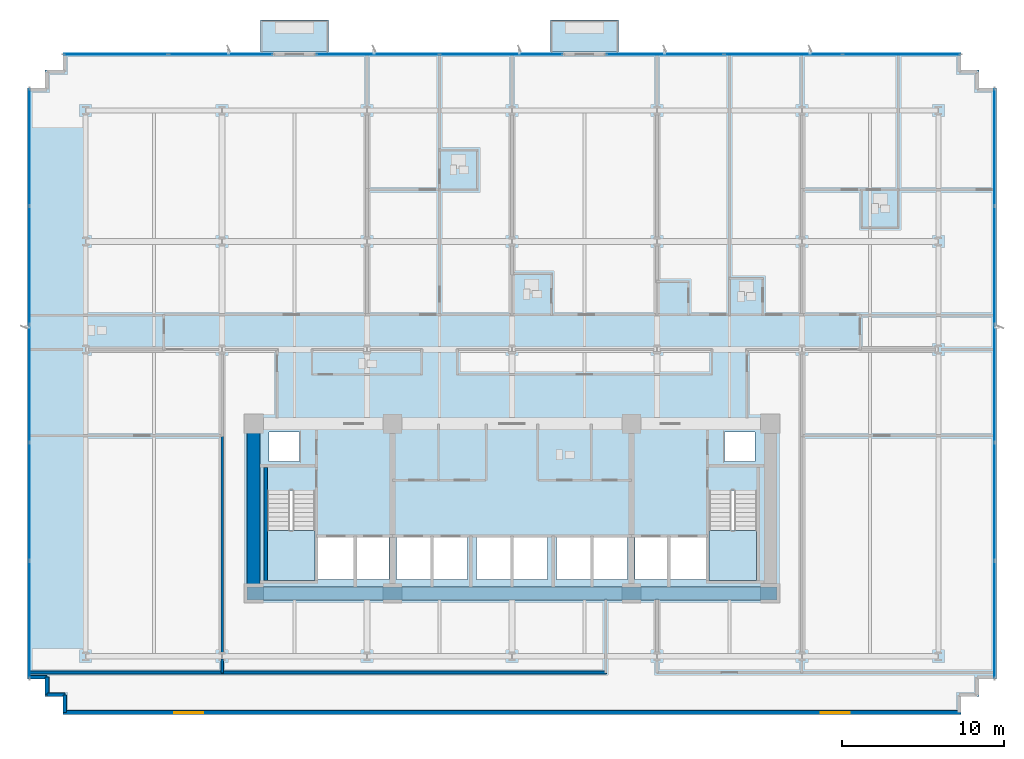
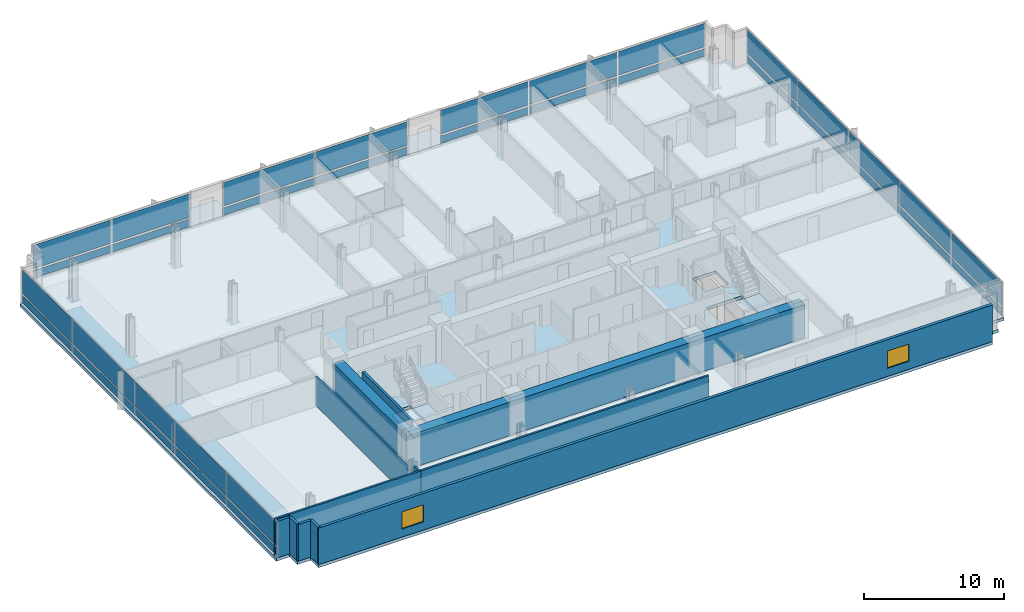
# One storey, part 7 of 17: 34 plates, 12 walls, 5 slabs, 2 windows, 2 openings, 7 elements without a shape of their own.
"""IFC4 building model written with IfcOpenShell, lengths in metres."""

from ifc_helpers import new_model, si_unit, direction, frame, frame_2d, origin, origin_2d, place, context, subcontext, project, spatial, polyline, rectangle, outline, extrude, material, layer, layer_set, type_object, element, fill, aggregate, save


model = new_model("IFC4")

# Units and contexts
model_context = context("Model", 3, precision=1e-05, world=origin(), true_north=direction((0.0, 1.0)))
body_context = subcontext(model_context, "Body", "Model", "MODEL_VIEW")
ifc_project = project(units=[si_unit("LENGTHUNIT", "METRE"), si_unit("AREAUNIT", "SQUARE_METRE"), si_unit("VOLUMEUNIT", "CUBIC_METRE"), si_unit("PLANEANGLEUNIT", "RADIAN"), si_unit("MASSUNIT", "GRAM", prefix="KILO")], contexts=[model_context])

# Site, building, storey
site_placement = place(None, origin())
site = spatial("IfcSite", under=ifc_project, at=site_placement, CompositionType="ELEMENT")
building_placement = place(site_placement, origin())
building = spatial("IfcBuilding", under=site, at=building_placement, Name="Solmavex Isthmus Hotel", CompositionType="ELEMENT")
storey_placement = place(building_placement, frame((0.0, 0.0, 40.199951171875)))
storey = spatial("IfcBuildingStorey", under=building, at=storey_placement, Name="L10", CompositionType="ELEMENT", Elevation=40.199951171875)

# Curtain wall, plates
ifc_material_1 = material(Name="Aluminium alloy 6063-T6", Category="aluminium")
curtain_wall_type = type_object("IfcCurtainWallType", Name="CW-SYS-02", PredefinedType="NOTDEFINED", material=ifc_material_1)
curtain_wall_1_placement = place(storey_placement, origin())
curtain_wall_1 = element("IfcCurtainWall", 1, at=curtain_wall_1_placement, inside=storey, type_object=curtain_wall_type, Name="Stick Curtain Wall CWL-L10-N1", PredefinedType="NOTDEFINED")
ifc_material_2 = material(Name="Clear low-E laminated glass", Category="glass")
ifc_layer_1 = layer(ifc_material_2, 0.031982421875)
ifc_layer_set_1 = layer_set([ifc_layer_1], Name="Clear low-E laminated glass")
plate_type = type_object("IfcPlateType", Name="CW-SYS-02-PNL", PredefinedType="CURTAIN_PANEL", material=ifc_layer_set_1)
plate_1_placement = place(storey_placement, frame((-24.522216796875, 20.3798828125, 0.16015625), z_axis=(0.0, 0.0, 1.0), x_axis=(1.0, 0.0, 0.0)))
plate_1 = element("IfcPlate", 2, at=plate_1_placement, type_object=plate_type, Name="CW-02 panel 1.1", PredefinedType="CURTAIN_PANEL", context=body_context, shape_type="SweptSolid", body=[
    extrude(rectangle(XDim=6.405517578125, YDim=0.031982421875, at=origin_2d()), origin(), (0.0, 0.0, 1.0), 0.659912109375),
])
plate_2_placement = place(storey_placement, frame((-24.522216796875, 20.3798828125, 0.97998046875), z_axis=(0.0, 0.0, 1.0), x_axis=(1.0, 0.0, 0.0)))
plate_2 = element("IfcPlate", 3, at=plate_2_placement, type_object=plate_type, Name="CW-02 panel 1.2", PredefinedType="CURTAIN_PANEL", context=body_context, shape_type="SweptSolid", body=[
    extrude(rectangle(XDim=6.405517578125, YDim=0.031982421875, at=origin_2d()), origin(), (0.0, 0.0, 1.0), 2.050048828125),
])
plate_3_placement = place(storey_placement, frame((-18.041748046875, 20.3798828125, 0.16015625), z_axis=(0.0, 0.0, 1.0), x_axis=(1.0, 0.0, 0.0)))
plate_3 = element("IfcPlate", 4, at=plate_3_placement, type_object=plate_type, Name="CW-02 panel 2.1", PredefinedType="CURTAIN_PANEL", context=body_context, shape_type="SweptSolid", body=[
    extrude(rectangle(XDim=6.405517578125, YDim=0.031982421875, at=origin_2d()), origin(), (0.0, 0.0, 1.0), 0.659912109375),
])
plate_4_placement = place(storey_placement, frame((-18.041748046875, 20.3798828125, 0.97998046875), z_axis=(0.0, 0.0, 1.0), x_axis=(1.0, 0.0, 0.0)))
plate_4 = element("IfcPlate", 5, at=plate_4_placement, type_object=plate_type, Name="CW-02 panel 2.2", PredefinedType="CURTAIN_PANEL", context=body_context, shape_type="SweptSolid", body=[
    extrude(rectangle(XDim=6.405517578125, YDim=0.031982421875, at=origin_2d()), origin(), (0.0, 0.0, 1.0), 2.050048828125),
])
aggregate(curtain_wall_1, [plate_1, plate_2, plate_3, plate_4])

curtain_wall_2_placement = place(storey_placement, origin())
curtain_wall_2 = element("IfcCurtainWall", 6, at=curtain_wall_2_placement, inside=storey, type_object=curtain_wall_type, Name="Stick Curtain Wall CWL-L10-N2", PredefinedType="NOTDEFINED")
plate_5_placement = place(storey_placement, frame((-8.30712890625, 20.3798828125, 0.16015625), z_axis=(0.0, 0.0, 1.0), x_axis=(1.0, 0.0, 0.0)))
plate_5 = element("IfcPlate", 7, at=plate_5_placement, type_object=plate_type, Name="CW-02 panel 1.1", PredefinedType="CURTAIN_PANEL", context=body_context, shape_type="SweptSolid", body=[
    extrude(rectangle(XDim=7.5634765625, YDim=0.031982421875, at=origin_2d()), origin(), (0.0, 0.0, 1.0), 0.659912109375),
])
plate_6_placement = place(storey_placement, frame((-8.30712890625, 20.3798828125, 0.97998046875), z_axis=(0.0, 0.0, 1.0), x_axis=(1.0, 0.0, 0.0)))
plate_6 = element("IfcPlate", 8, at=plate_6_placement, type_object=plate_type, Name="CW-02 panel 1.2", PredefinedType="CURTAIN_PANEL", context=body_context, shape_type="SweptSolid", body=[
    extrude(rectangle(XDim=7.5634765625, YDim=0.031982421875, at=origin_2d()), origin(), (0.0, 0.0, 1.0), 2.050048828125),
])
plate_7_placement = place(storey_placement, frame((-0.668701171875, 20.3798828125, 0.16015625), z_axis=(0.0, 0.0, 1.0), x_axis=(1.0, 0.0, 0.0)))
plate_7 = element("IfcPlate", 9, at=plate_7_placement, type_object=plate_type, Name="CW-02 panel 2.1", PredefinedType="CURTAIN_PANEL", context=body_context, shape_type="SweptSolid", body=[
    extrude(rectangle(XDim=7.5634765625, YDim=0.031982421875, at=origin_2d()), origin(), (0.0, 0.0, 1.0), 0.659912109375),
])
plate_8_placement = place(storey_placement, frame((-0.668701171875, 20.3798828125, 0.97998046875), z_axis=(0.0, 0.0, 1.0), x_axis=(1.0, 0.0, 0.0)))
plate_8 = element("IfcPlate", 10, at=plate_8_placement, type_object=plate_type, Name="CW-02 panel 2.2", PredefinedType="CURTAIN_PANEL", context=body_context, shape_type="SweptSolid", body=[
    extrude(rectangle(XDim=7.5634765625, YDim=0.031982421875, at=origin_2d()), origin(), (0.0, 0.0, 1.0), 2.050048828125),
])
aggregate(curtain_wall_2, [plate_5, plate_6, plate_7, plate_8])

curtain_wall_3_placement = place(storey_placement, origin())
curtain_wall_3 = element("IfcCurtainWall", 11, at=curtain_wall_3_placement, inside=storey, type_object=curtain_wall_type, Name="Stick Curtain Wall CWL-L10-N3", PredefinedType="NOTDEFINED")
plate_9_placement = place(storey_placement, frame((9.475341796875, 20.3798828125, 0.16015625), z_axis=(0.0, 0.0, 1.0), x_axis=(1.0, 0.0, 0.0)))
plate_9 = element("IfcPlate", 12, at=plate_9_placement, type_object=plate_type, Name="CW-02 panel 1.1", PredefinedType="CURTAIN_PANEL", context=body_context, shape_type="SweptSolid", body=[
    extrude(rectangle(XDim=7.224853515625, YDim=0.031982421875, at=origin_2d()), origin(), (0.0, 0.0, 1.0), 0.659912109375),
])
plate_10_placement = place(storey_placement, frame((9.475341796875, 20.3798828125, 0.97998046875), z_axis=(0.0, 0.0, 1.0), x_axis=(1.0, 0.0, 0.0)))
plate_10 = element("IfcPlate", 13, at=plate_10_placement, type_object=plate_type, Name="CW-02 panel 1.2", PredefinedType="CURTAIN_PANEL", context=body_context, shape_type="SweptSolid", body=[
    extrude(rectangle(XDim=7.224853515625, YDim=0.031982421875, at=origin_2d()), origin(), (0.0, 0.0, 1.0), 2.050048828125),
])
plate_11_placement = place(storey_placement, frame((16.7939453125, 20.3798828125, 0.16015625), z_axis=(0.0, 0.0, 1.0), x_axis=(1.0, 0.0, 0.0)))
plate_11 = element("IfcPlate", 14, at=plate_11_placement, type_object=plate_type, Name="CW-02 panel 2.1", PredefinedType="CURTAIN_PANEL", context=body_context, shape_type="SweptSolid", body=[
    extrude(rectangle(XDim=7.262451171875, YDim=0.031982421875, at=origin_2d()), origin(), (0.0, 0.0, 1.0), 0.659912109375),
])
plate_12_placement = place(storey_placement, frame((16.7939453125, 20.3798828125, 0.97998046875), z_axis=(0.0, 0.0, 1.0), x_axis=(1.0, 0.0, 0.0)))
plate_12 = element("IfcPlate", 15, at=plate_12_placement, type_object=plate_type, Name="CW-02 panel 2.2", PredefinedType="CURTAIN_PANEL", context=body_context, shape_type="SweptSolid", body=[
    extrude(rectangle(XDim=7.262451171875, YDim=0.031982421875, at=origin_2d()), origin(), (0.0, 0.0, 1.0), 2.050048828125),
])
plate_13_placement = place(storey_placement, frame((24.112548828125, 20.3798828125, 0.16015625), z_axis=(0.0, 0.0, 1.0), x_axis=(1.0, 0.0, 0.0)))
plate_13 = element("IfcPlate", 16, at=plate_13_placement, type_object=plate_type, Name="CW-02 panel 3.1", PredefinedType="CURTAIN_PANEL", context=body_context, shape_type="SweptSolid", body=[
    extrude(rectangle(XDim=7.224853515625, YDim=0.031982421875, at=origin_2d()), origin(), (0.0, 0.0, 1.0), 0.659912109375),
])
plate_14_placement = place(storey_placement, frame((24.112548828125, 20.3798828125, 0.97998046875), z_axis=(0.0, 0.0, 1.0), x_axis=(1.0, 0.0, 0.0)))
plate_14 = element("IfcPlate", 17, at=plate_14_placement, type_object=plate_type, Name="CW-02 panel 3.2", PredefinedType="CURTAIN_PANEL", context=body_context, shape_type="SweptSolid", body=[
    extrude(rectangle(XDim=7.224853515625, YDim=0.031982421875, at=origin_2d()), origin(), (0.0, 0.0, 1.0), 2.050048828125),
])
aggregate(curtain_wall_3, [plate_9, plate_10, plate_11, plate_12, plate_13, plate_14])

curtain_wall_4_placement = place(storey_placement, origin())
curtain_wall_4 = element("IfcCurtainWall", 18, at=curtain_wall_4_placement, inside=storey, type_object=curtain_wall_type, Name="Stick Curtain Wall CWL-L10-W1", PredefinedType="NOTDEFINED")
plate_15_placement = place(storey_placement, frame((-29.8798828125, -14.621337890625, 0.16015625), z_axis=(0.0, 0.0, 1.0), x_axis=(0.0, 1.0, 0.0)))
plate_15 = element("IfcPlate", 19, at=plate_15_placement, type_object=plate_type, Name="CW-02 panel 1.1", PredefinedType="CURTAIN_PANEL", context=body_context, shape_type="SweptSolid", body=[
    extrude(rectangle(XDim=7.20751953125, YDim=0.031982421875, at=origin_2d()), origin(), (0.0, 0.0, 1.0), 0.659912109375),
])
plate_16_placement = place(storey_placement, frame((-29.8798828125, -14.621337890625, 0.97998046875), z_axis=(0.0, 0.0, 1.0), x_axis=(0.0, 1.0, 0.0)))
plate_16 = element("IfcPlate", 20, at=plate_16_placement, type_object=plate_type, Name="CW-02 panel 1.2", PredefinedType="CURTAIN_PANEL", context=body_context, shape_type="SweptSolid", body=[
    extrude(rectangle(XDim=7.20751953125, YDim=0.031982421875, at=origin_2d()), origin(), (0.0, 0.0, 1.0), 2.050048828125),
])
plate_17_placement = place(storey_placement, frame((-29.8798828125, -7.320068359375, 0.16015625), z_axis=(0.0, 0.0, 1.0), x_axis=(0.0, 1.0, 0.0)))
plate_17 = element("IfcPlate", 21, at=plate_17_placement, type_object=plate_type, Name="CW-02 panel 2.1", PredefinedType="CURTAIN_PANEL", context=body_context, shape_type="SweptSolid", body=[
    extrude(rectangle(XDim=7.2451171875, YDim=0.031982421875, at=origin_2d()), origin(), (0.0, 0.0, 1.0), 0.659912109375),
])
plate_18_placement = place(storey_placement, frame((-29.8798828125, -7.320068359375, 0.97998046875), z_axis=(0.0, 0.0, 1.0), x_axis=(0.0, 1.0, 0.0)))
plate_18 = element("IfcPlate", 22, at=plate_18_placement, type_object=plate_type, Name="CW-02 panel 2.2", PredefinedType="CURTAIN_PANEL", context=body_context, shape_type="SweptSolid", body=[
    extrude(rectangle(XDim=7.2451171875, YDim=0.031982421875, at=origin_2d()), origin(), (0.0, 0.0, 1.0), 2.050048828125),
])
plate_19_placement = place(storey_placement, frame((-29.8798828125, 0.0, 0.16015625), z_axis=(0.0, 0.0, 1.0), x_axis=(0.0, 1.0, 0.0)))
plate_19 = element("IfcPlate", 23, at=plate_19_placement, type_object=plate_type, Name="CW-02 panel 3.1", PredefinedType="CURTAIN_PANEL", context=body_context, shape_type="SweptSolid", body=[
    extrude(rectangle(XDim=7.2451171875, YDim=0.031982421875, at=origin_2d()), origin(), (0.0, 0.0, 1.0), 0.659912109375),
])
plate_20_placement = place(storey_placement, frame((-29.8798828125, 0.0, 0.97998046875), z_axis=(0.0, 0.0, 1.0), x_axis=(0.0, 1.0, 0.0)))
plate_20 = element("IfcPlate", 24, at=plate_20_placement, type_object=plate_type, Name="CW-02 panel 3.2", PredefinedType="CURTAIN_PANEL", context=body_context, shape_type="SweptSolid", body=[
    extrude(rectangle(XDim=7.2451171875, YDim=0.031982421875, at=origin_2d()), origin(), (0.0, 0.0, 1.0), 2.050048828125),
])
plate_21_placement = place(storey_placement, frame((-29.8798828125, 7.320068359375, 0.16015625), z_axis=(0.0, 0.0, 1.0), x_axis=(0.0, 1.0, 0.0)))
plate_21 = element("IfcPlate", 25, at=plate_21_placement, type_object=plate_type, Name="CW-02 panel 4.1", PredefinedType="CURTAIN_PANEL", context=body_context, shape_type="SweptSolid", body=[
    extrude(rectangle(XDim=7.2451171875, YDim=0.031982421875, at=origin_2d()), origin(), (0.0, 0.0, 1.0), 0.659912109375),
])
plate_22_placement = place(storey_placement, frame((-29.8798828125, 7.320068359375, 0.97998046875), z_axis=(0.0, 0.0, 1.0), x_axis=(0.0, 1.0, 0.0)))
plate_22 = element("IfcPlate", 26, at=plate_22_placement, type_object=plate_type, Name="CW-02 panel 4.2", PredefinedType="CURTAIN_PANEL", context=body_context, shape_type="SweptSolid", body=[
    extrude(rectangle(XDim=7.2451171875, YDim=0.031982421875, at=origin_2d()), origin(), (0.0, 0.0, 1.0), 2.050048828125),
])
plate_23_placement = place(storey_placement, frame((-29.8798828125, 14.621337890625, 0.16015625), z_axis=(0.0, 0.0, 1.0), x_axis=(0.0, 1.0, 0.0)))
plate_23 = element("IfcPlate", 27, at=plate_23_placement, type_object=plate_type, Name="CW-02 panel 5.1", PredefinedType="CURTAIN_PANEL", context=body_context, shape_type="SweptSolid", body=[
    extrude(rectangle(XDim=7.20751953125, YDim=0.031982421875, at=origin_2d()), origin(), (0.0, 0.0, 1.0), 0.659912109375),
])
plate_24_placement = place(storey_placement, frame((-29.8798828125, 14.621337890625, 0.97998046875), z_axis=(0.0, 0.0, 1.0), x_axis=(0.0, 1.0, 0.0)))
plate_24 = element("IfcPlate", 28, at=plate_24_placement, type_object=plate_type, Name="CW-02 panel 5.2", PredefinedType="CURTAIN_PANEL", context=body_context, shape_type="SweptSolid", body=[
    extrude(rectangle(XDim=7.20751953125, YDim=0.031982421875, at=origin_2d()), origin(), (0.0, 0.0, 1.0), 2.050048828125),
])
aggregate(curtain_wall_4, [plate_15, plate_16, plate_17, plate_18, plate_19, plate_20, plate_21, plate_22, plate_23, plate_24])

curtain_wall_5_placement = place(storey_placement, origin())
curtain_wall_5 = element("IfcCurtainWall", 29, at=curtain_wall_5_placement, inside=storey, type_object=curtain_wall_type, Name="Stick Curtain Wall CWL-L10-E1", PredefinedType="NOTDEFINED")
plate_25_placement = place(storey_placement, frame((29.8798828125, -14.621337890625, 0.16015625), z_axis=(0.0, 0.0, 1.0), x_axis=(0.0, 1.0, 0.0)))
plate_25 = element("IfcPlate", 30, at=plate_25_placement, type_object=plate_type, Name="CW-02 panel 1.1", PredefinedType="CURTAIN_PANEL", context=body_context, shape_type="SweptSolid", body=[
    extrude(rectangle(XDim=7.20751953125, YDim=0.031982421875, at=origin_2d()), origin(), (0.0, 0.0, 1.0), 0.659912109375),
])
plate_26_placement = place(storey_placement, frame((29.8798828125, -14.621337890625, 0.97998046875), z_axis=(0.0, 0.0, 1.0), x_axis=(0.0, 1.0, 0.0)))
plate_26 = element("IfcPlate", 31, at=plate_26_placement, type_object=plate_type, Name="CW-02 panel 1.2", PredefinedType="CURTAIN_PANEL", context=body_context, shape_type="SweptSolid", body=[
    extrude(rectangle(XDim=7.20751953125, YDim=0.031982421875, at=origin_2d()), origin(), (0.0, 0.0, 1.0), 2.050048828125),
])
plate_27_placement = place(storey_placement, frame((29.8798828125, -7.320068359375, 0.16015625), z_axis=(0.0, 0.0, 1.0), x_axis=(0.0, 1.0, 0.0)))
plate_27 = element("IfcPlate", 32, at=plate_27_placement, type_object=plate_type, Name="CW-02 panel 2.1", PredefinedType="CURTAIN_PANEL", context=body_context, shape_type="SweptSolid", body=[
    extrude(rectangle(XDim=7.2451171875, YDim=0.031982421875, at=origin_2d()), origin(), (0.0, 0.0, 1.0), 0.659912109375),
])
plate_28_placement = place(storey_placement, frame((29.8798828125, -7.320068359375, 0.97998046875), z_axis=(0.0, 0.0, 1.0), x_axis=(0.0, 1.0, 0.0)))
plate_28 = element("IfcPlate", 33, at=plate_28_placement, type_object=plate_type, Name="CW-02 panel 2.2", PredefinedType="CURTAIN_PANEL", context=body_context, shape_type="SweptSolid", body=[
    extrude(rectangle(XDim=7.2451171875, YDim=0.031982421875, at=origin_2d()), origin(), (0.0, 0.0, 1.0), 2.050048828125),
])
plate_29_placement = place(storey_placement, frame((29.8798828125, 0.0, 0.16015625), z_axis=(0.0, 0.0, 1.0), x_axis=(0.0, 1.0, 0.0)))
plate_29 = element("IfcPlate", 34, at=plate_29_placement, type_object=plate_type, Name="CW-02 panel 3.1", PredefinedType="CURTAIN_PANEL", context=body_context, shape_type="SweptSolid", body=[
    extrude(rectangle(XDim=7.2451171875, YDim=0.031982421875, at=origin_2d()), origin(), (0.0, 0.0, 1.0), 0.659912109375),
])
plate_30_placement = place(storey_placement, frame((29.8798828125, 0.0, 0.97998046875), z_axis=(0.0, 0.0, 1.0), x_axis=(0.0, 1.0, 0.0)))
plate_30 = element("IfcPlate", 35, at=plate_30_placement, type_object=plate_type, Name="CW-02 panel 3.2", PredefinedType="CURTAIN_PANEL", context=body_context, shape_type="SweptSolid", body=[
    extrude(rectangle(XDim=7.2451171875, YDim=0.031982421875, at=origin_2d()), origin(), (0.0, 0.0, 1.0), 2.050048828125),
])
plate_31_placement = place(storey_placement, frame((29.8798828125, 7.320068359375, 0.16015625), z_axis=(0.0, 0.0, 1.0), x_axis=(0.0, 1.0, 0.0)))
plate_31 = element("IfcPlate", 36, at=plate_31_placement, type_object=plate_type, Name="CW-02 panel 4.1", PredefinedType="CURTAIN_PANEL", context=body_context, shape_type="SweptSolid", body=[
    extrude(rectangle(XDim=7.2451171875, YDim=0.031982421875, at=origin_2d()), origin(), (0.0, 0.0, 1.0), 0.659912109375),
])
plate_32_placement = place(storey_placement, frame((29.8798828125, 7.320068359375, 0.97998046875), z_axis=(0.0, 0.0, 1.0), x_axis=(0.0, 1.0, 0.0)))
plate_32 = element("IfcPlate", 37, at=plate_32_placement, type_object=plate_type, Name="CW-02 panel 4.2", PredefinedType="CURTAIN_PANEL", context=body_context, shape_type="SweptSolid", body=[
    extrude(rectangle(XDim=7.2451171875, YDim=0.031982421875, at=origin_2d()), origin(), (0.0, 0.0, 1.0), 2.050048828125),
])
plate_33_placement = place(storey_placement, frame((29.8798828125, 14.621337890625, 0.16015625), z_axis=(0.0, 0.0, 1.0), x_axis=(0.0, 1.0, 0.0)))
plate_33 = element("IfcPlate", 38, at=plate_33_placement, type_object=plate_type, Name="CW-02 panel 5.1", PredefinedType="CURTAIN_PANEL", context=body_context, shape_type="SweptSolid", body=[
    extrude(rectangle(XDim=7.20751953125, YDim=0.031982421875, at=origin_2d()), origin(), (0.0, 0.0, 1.0), 0.659912109375),
])
plate_34_placement = place(storey_placement, frame((29.8798828125, 14.621337890625, 0.97998046875), z_axis=(0.0, 0.0, 1.0), x_axis=(0.0, 1.0, 0.0)))
plate_34 = element("IfcPlate", 39, at=plate_34_placement, type_object=plate_type, Name="CW-02 panel 5.2", PredefinedType="CURTAIN_PANEL", context=body_context, shape_type="SweptSolid", body=[
    extrude(rectangle(XDim=7.20751953125, YDim=0.031982421875, at=origin_2d()), origin(), (0.0, 0.0, 1.0), 2.050048828125),
])
aggregate(curtain_wall_5, [plate_25, plate_26, plate_27, plate_28, plate_29, plate_30, plate_31, plate_32, plate_33, plate_34])

# Slabs
ifc_material_3 = material(Name="Concrete C40/50", Category="concrete")
ifc_layer_2 = layer(ifc_material_3, 0.239990234375)
ifc_layer_set_2 = layer_set([ifc_layer_2], Name="Concrete C40/50")
slab_type_1 = type_object("IfcSlabType", Name="SLAB-BALC-240", PredefinedType="FLOOR", material=ifc_layer_set_2)
slab_1_placement = place(storey_placement, frame((0.0, 0.0, -0.239990234375)))
element("IfcSlab", 40, at=slab_1_placement, inside=storey, type_object=slab_type_1, Name="Tree-Planter Balcony Slab L10-B1", PredefinedType="FLOOR", context=body_context, shape_type="SweptSolid", body=[
    extrude(outline(polyline([(-15.56396484375, 20.514892578125), (-11.364013671875, 20.514892578125), (-11.364013671875, 22.5), (-15.56396484375, 22.5), (-15.56396484375, 20.514892578125)])), origin(), (0.0, 0.0, 1.0), 0.239990234375),
])
slab_2_placement = place(storey_placement, frame((0.0, 0.0, -0.239990234375)))
element("IfcSlab", 41, at=slab_2_placement, inside=storey, type_object=slab_type_1, Name="Tree-Planter Balcony Slab L10-B2", PredefinedType="FLOOR", context=body_context, shape_type="SweptSolid", body=[
    extrude(outline(polyline([(2.387939453125, 20.514892578125), (6.587890625, 20.514892578125), (6.587890625, 22.5), (2.387939453125, 22.5), (2.387939453125, 20.514892578125)])), origin(), (0.0, 0.0, 1.0), 0.239990234375),
])
ifc_layer_3 = layer(ifc_material_3, 0.260009765625)
ifc_layer_set_3 = layer_set([ifc_layer_3], Name="Concrete C40/50")
slab_type_2 = type_object("IfcSlabType", Name="SLAB-TYP-260", PredefinedType="FLOOR", material=ifc_layer_set_3)
slab_3_placement = place(storey_placement, frame((0.0, 0.0, -0.260009765625)))
element("IfcSlab", 42, at=slab_3_placement, inside=storey, type_object=slab_type_2, Name="Tower Structural Floor Slab L10", PredefinedType="FLOOR", context=body_context, shape_type="SweptSolid", body=[
    extrude(outline(polyline([(-26.699951171875, -20.5), (26.699951171875, -20.5), (27.800048828125, -20.5), (27.800048828125, -19.39990234375), (28.89990234375, -19.39990234375), (28.89990234375, -18.300048828125), (30.0, -18.300048828125), (30.0, -17.199951171875), (30.0, 17.199951171875), (30.0, 18.300048828125), (28.89990234375, 18.300048828125), (28.89990234375, 19.39990234375), (27.800048828125, 19.39990234375), (27.800048828125, 20.5), (26.699951171875, 20.5), (-26.699951171875, 20.5), (-27.800048828125, 20.5), (-27.800048828125, 19.39990234375), (-28.89990234375, 19.39990234375), (-28.89990234375, 18.300048828125), (-30.0, 18.300048828125), (-30.0, 17.199951171875), (-30.0, -17.199951171875), (-30.0, -18.300048828125), (-28.89990234375, -18.300048828125), (-28.89990234375, -19.39990234375), (-27.800048828125, -19.39990234375), (-27.800048828125, -20.5), (-26.699951171875, -20.5)]), holes=[polyline([(-15.14990234375, -6.617919921875), (-15.14990234375, -12.199951171875), (-12.199951171875, -12.199951171875), (-12.199951171875, -6.617919921875), (-15.14990234375, -6.617919921875)]), polyline([(12.199951171875, -6.617919921875), (12.199951171875, -12.199951171875), (15.14990234375, -12.199951171875), (15.14990234375, -6.617919921875), (12.199951171875, -6.617919921875)]), polyline([(-12.0, -12.14990234375), (-9.800048828125, -12.14990234375), (-9.800048828125, -9.550048828125), (-12.0, -9.550048828125), (-12.0, -12.14990234375)]), polyline([(9.800048828125, -12.14990234375), (12.0, -12.14990234375), (12.0, -9.550048828125), (9.800048828125, -9.550048828125), (9.800048828125, -12.14990234375)]), polyline([(-9.60009765625, -12.14990234375), (-7.60009765625, -12.14990234375), (-7.60009765625, -9.550048828125), (-9.60009765625, -9.550048828125), (-9.60009765625, -12.14990234375)]), polyline([(7.60009765625, -12.14990234375), (9.60009765625, -12.14990234375), (9.60009765625, -9.550048828125), (7.60009765625, -9.550048828125), (7.60009765625, -12.14990234375)]), polyline([(-7.14990234375, -12.14990234375), (-5.050048828125, -12.14990234375), (-5.050048828125, -9.550048828125), (-7.14990234375, -9.550048828125), (-7.14990234375, -12.14990234375)]), polyline([(-4.85009765625, -12.14990234375), (-2.75, -12.14990234375), (-2.75, -9.550048828125), (-4.85009765625, -9.550048828125), (-4.85009765625, -12.14990234375)]), polyline([(-2.199951171875, -12.14990234375), (-0.10009765625, -12.14990234375), (-0.10009765625, -9.550048828125), (-2.199951171875, -9.550048828125), (-2.199951171875, -12.14990234375)]), polyline([(0.10009765625, -12.14990234375), (2.199951171875, -12.14990234375), (2.199951171875, -9.550048828125), (0.10009765625, -9.550048828125), (0.10009765625, -12.14990234375)]), polyline([(2.75, -12.14990234375), (4.85009765625, -12.14990234375), (4.85009765625, -9.550048828125), (2.75, -9.550048828125), (2.75, -12.14990234375)]), polyline([(5.050048828125, -12.14990234375), (7.14990234375, -12.14990234375), (7.14990234375, -9.550048828125), (5.050048828125, -9.550048828125), (5.050048828125, -12.14990234375)]), polyline([(-15.050048828125, -4.85009765625), (-13.14990234375, -4.85009765625), (-13.14990234375, -3.0), (-15.050048828125, -3.0), (-15.050048828125, -4.85009765625)]), polyline([(13.14990234375, -4.85009765625), (15.050048828125, -4.85009765625), (15.050048828125, -3.0), (13.14990234375, -3.0), (13.14990234375, -4.85009765625)])]), origin(), (0.0, 0.0, 1.0), 0.260009765625),
])

# Stair, slab
stair_type_1 = type_object("IfcStairType", Name="STR-ST-1", PredefinedType="HALF_TURN_STAIR", material=ifc_material_3)
stair_1_placement = place(storey_placement, origin())
stair_1 = element("IfcStair", 43, at=stair_1_placement, inside=storey, type_object=stair_type_1, Name="L10 Protected Exit Stair ST-1", PredefinedType="HALF_TURN_STAIR")
ifc_layer_4 = layer(ifc_material_3, 0.219970703125)
ifc_layer_set_4 = layer_set([ifc_layer_4], Name="Concrete C40/50")
slab_type_3 = type_object("IfcSlabType", Name="SLD-ST-1", PredefinedType="LANDING", material=ifc_layer_set_4)
slab_4_placement = place(storey_placement, frame((0.0, 0.0, 1.525146484375)))
slab_4 = element("IfcSlab", 44, at=slab_4_placement, type_object=slab_type_3, Name="ST-1 landing 1", PredefinedType="LANDING", context=body_context, shape_type="SweptSolid", body=[
    extrude(outline(polyline([(-15.14990234375, -9.1201171875), (-15.14990234375, -12.199951171875), (-12.199951171875, -12.199951171875), (-12.199951171875, -9.1201171875), (-15.14990234375, -9.1201171875)])), origin(), (0.0, 0.0, 1.0), 0.199951171875),
])
aggregate(stair_1, [slab_4])

stair_type_2 = type_object("IfcStairType", Name="STR-ST-2", PredefinedType="HALF_TURN_STAIR", material=ifc_material_3)
stair_2_placement = place(storey_placement, origin())
stair_2 = element("IfcStair", 45, at=stair_2_placement, inside=storey, type_object=stair_type_2, Name="L10 Protected Exit Stair ST-2", PredefinedType="HALF_TURN_STAIR")
ifc_layer_5 = layer(ifc_material_3, 0.219970703125)
ifc_layer_set_5 = layer_set([ifc_layer_5], Name="Concrete C40/50")
slab_type_4 = type_object("IfcSlabType", Name="SLD-ST-2", PredefinedType="LANDING", material=ifc_layer_set_5)
slab_5_placement = place(storey_placement, frame((0.0, 0.0, 1.525146484375)))
slab_5 = element("IfcSlab", 46, at=slab_5_placement, type_object=slab_type_4, Name="ST-2 landing 1", PredefinedType="LANDING", context=body_context, shape_type="SweptSolid", body=[
    extrude(outline(polyline([(12.199951171875, -9.1201171875), (12.199951171875, -12.199951171875), (15.14990234375, -12.199951171875), (15.14990234375, -9.1201171875), (12.199951171875, -9.1201171875)])), origin(), (0.0, 0.0, 1.0), 0.199951171875),
])
aggregate(stair_2, [slab_5])

# Wall, openings, windows
ifc_material_4 = material(Name="Precast Concrete C40/50", Category="concrete")
ifc_layer_6 = layer(ifc_material_4, 0.25)
ifc_layer_set_6 = layer_set([ifc_layer_6], Name="Precast Concrete C40/50")
wall_type_1 = type_object("IfcWallType", Name="EW-TWR-250", PredefinedType="STANDARD", material=ifc_layer_set_6)
wall_1_placement = place(storey_placement, frame((-27.800048828125, -20.3798828125, 0.0), z_axis=(0.0, 0.0, 1.0), x_axis=(1.0, 0.0, 0.0)))
wall_1 = element("IfcWall", 47, at=wall_1_placement, inside=storey, type_object=wall_type_1, Name="Tower Rear South Facade Wall L10", PredefinedType="STANDARD", context=body_context, shape_type="SweptSolid", body=[
    extrude(rectangle(XDim=55.60009765625, YDim=0.239990234375, at=frame_2d((27.800048828125, 0.0))), origin(), (0.0, 0.0, 1.0), 3.18994140625),
])
opening_1_placement = place(wall_1_placement, frame((6.884033203125, 0.0, 0.699951171875)))
opening_1 = element("IfcOpeningElement", 48, at=opening_1_placement, cuts=wall_1, Name="Opening WN-02", PredefinedType="OPENING", context=body_context, shape_type="SweptSolid", body=[
    extrude(rectangle(XDim=1.800048828125, YDim=1.5, at=frame_2d((0.89990234375, 0.75))), frame((0.0, 0.1298828125, 0.0), z_axis=(0.0, -1.0, 0.0), x_axis=(1.0, 0.0, 0.0)), (0.0, 0.0, 1.0), 0.260009765625),
])
opening_2_placement = place(wall_1_placement, frame((46.916015625, 0.0, 0.699951171875)))
opening_2 = element("IfcOpeningElement", 49, at=opening_2_placement, cuts=wall_1, Name="Opening WN-02", PredefinedType="OPENING", context=body_context, shape_type="SweptSolid", body=[
    extrude(rectangle(XDim=1.800048828125, YDim=1.5, at=frame_2d((0.89990234375, 0.75))), frame((0.0, 0.1298828125, 0.0), z_axis=(0.0, -1.0, 0.0), x_axis=(1.0, 0.0, 0.0)), (0.0, 0.0, 1.0), 0.260009765625),
])
window_type = type_object("IfcWindowType", Name="WIN-TWR-1800", PartitioningType="SINGLE_PANEL", PredefinedType="WINDOW", material=ifc_material_2)
window_1_placement = place(opening_1_placement, origin())
window_1 = element("IfcWindow", 50, at=window_1_placement, inside=storey, type_object=window_type, Name="South Facade Vision Window L10-S1", OverallHeight=1.5, OverallWidth=1.800048828125, PartitioningType="SINGLE_PANEL", PredefinedType="WINDOW", context=body_context, shape_type="SweptSolid", body=[
    extrude(rectangle(XDim=1.800048828125, YDim=1.5, at=frame_2d((0.89990234375, 0.75))), frame((0.0, 0.030029296875, 0.0), z_axis=(0.0, -1.0, 0.0), x_axis=(1.0, 0.0, 0.0)), (0.0, 0.0, 1.0), 0.06005859375),
])
fill(opening_1, window_1)
window_2_placement = place(opening_2_placement, origin())
window_2 = element("IfcWindow", 51, at=window_2_placement, inside=storey, type_object=window_type, Name="South Facade Vision Window L10-S2", OverallHeight=1.5, OverallWidth=1.800048828125, PartitioningType="SINGLE_PANEL", PredefinedType="WINDOW", context=body_context, shape_type="SweptSolid", body=[
    extrude(rectangle(XDim=1.800048828125, YDim=1.5, at=frame_2d((0.89990234375, 0.75))), frame((0.0, 0.030029296875, 0.0), z_axis=(0.0, -1.0, 0.0), x_axis=(1.0, 0.0, 0.0)), (0.0, 0.0, 1.0), 0.06005859375),
])
fill(opening_2, window_2)

# Walls
wall_2_placement = place(storey_placement, frame((-27.68994140625, -20.389892578125, 0.0), z_axis=(0.0, 0.0, 1.0), x_axis=(0.0, 1.0, 0.0)))
element("IfcWall", 52, at=wall_2_placement, inside=storey, type_object=wall_type_1, Name="Serrated Corner Facade Panel L10-01", PredefinedType="STANDARD", context=body_context, shape_type="SweptSolid", body=[
    extrude(rectangle(XDim=1.099853515625, YDim=0.219970703125, at=frame_2d((0.5498046875, 0.0))), origin(), (0.0, 0.0, 1.0), 3.18994140625),
])
for number, where, z_axis, x_axis, name in (
    (53, (-27.68994140625, -19.2900390625, 0.0), (0.0, 0.0, 1.0), (-1.0, 0.0, 0.0), "Serrated Corner Facade Panel L10-02"),
    (54, (-28.7900390625, -19.2900390625, 0.0), (0.0, 0.0, 1.0), (0.0, 1.0, 0.0), "Serrated Corner Facade Panel L10-03"),
):
    element("IfcWall", number, at=place(storey_placement, frame(where, z_axis=z_axis, x_axis=x_axis)), inside=storey, type_object=wall_type_1, Name=name, PredefinedType="STANDARD", context=body_context, shape_type="SweptSolid", body=[
        extrude(rectangle(XDim=1.10009765625, YDim=0.219970703125, at=frame_2d((0.550048828125, 0.0))), origin(), (0.0, 0.0, 1.0), 3.18994140625),
    ])
wall_3_placement = place(storey_placement, frame((-28.7900390625, -18.18994140625, 0.0), z_axis=(0.0, 0.0, 1.0), x_axis=(-1.0, 0.0, 0.0)))
element("IfcWall", 55, at=wall_3_placement, inside=storey, type_object=wall_type_1, Name="Serrated Corner Facade Panel L10-04", PredefinedType="STANDARD", context=body_context, shape_type="SweptSolid", body=[
    extrude(rectangle(XDim=1.099853515625, YDim=0.219970703125, at=frame_2d((0.5498046875, 0.0))), origin(), (0.0, 0.0, 1.0), 3.18994140625),
])
ifc_material_5 = material(Name="Gypsum plasterboard lining", Category="gypsum")
ifc_layer_7 = layer(ifc_material_5, 0.159912109375)
ifc_layer_set_7 = layer_set([ifc_layer_7], Name="Gypsum plasterboard lining")
wall_type_2 = type_object("IfcWallType", Name="IW-COMP-160", PredefinedType="PARTITIONING", material=ifc_layer_set_7)
wall_4_placement = place(storey_placement, frame((5.840087890625, -17.89990234375, 0.0), z_axis=(0.0, 0.0, 1.0), x_axis=(-1.0, 0.0, 0.0)))
element("IfcWall", 56, at=wall_4_placement, inside=storey, type_object=wall_type_2, Name="Interior Partition Wall W-L10-P087", PredefinedType="PARTITIONING", context=body_context, shape_type="SweptSolid", body=[
    extrude(rectangle(XDim=23.83203125, YDim=0.159912109375, at=frame_2d((11.916015625, 0.0))), origin(), (0.0, 0.0, 1.0), 3.18994140625),
])
wall_5_placement = place(storey_placement, frame((-17.951904296875, -16.72509765625, 0.0), z_axis=(0.0, 0.0, 1.0), x_axis=(0.0, 1.0, 0.0)))
element("IfcWall", 57, at=wall_5_placement, inside=storey, type_object=wall_type_2, Name="Interior Partition Wall W-L10-P088", PredefinedType="PARTITIONING", context=body_context, shape_type="SweptSolid", body=[
    extrude(rectangle(XDim=13.55712890625, YDim=0.159912109375, at=frame_2d((6.778564453125, 0.0))), origin(), (0.0, 0.0, 1.0), 2.4794921875),
])
wall_6_placement = place(storey_placement, frame((-17.951904296875, -17.93994140625, 0.0), z_axis=(0.0, 0.0, 1.0), x_axis=(0.0, 1.0, 0.0)))
element("IfcWall", 58, at=wall_6_placement, inside=storey, type_object=wall_type_2, Name="Interior Partition Wall W-L10-P089", PredefinedType="PARTITIONING", context=body_context, shape_type="SweptSolid", body=[
    extrude(rectangle(XDim=0.864990234375, YDim=0.159912109375, at=frame_2d((0.4326171875, 0.0))), origin(), (0.0, 0.0, 1.0), 3.18994140625),
])
wall_7_placement = place(storey_placement, frame((-29.919921875, -17.89990234375, 0.0), z_axis=(0.0, 0.0, 1.0), x_axis=(1.0, 0.0, 0.0)))
element("IfcWall", 59, at=wall_7_placement, inside=storey, type_object=wall_type_2, Name="Interior Partition Wall W-L10-P090", PredefinedType="PARTITIONING", context=body_context, shape_type="SweptSolid", body=[
    extrude(rectangle(XDim=12.0498046875, YDim=0.159912109375, at=frame_2d((6.02490234375, 0.0))), origin(), (0.0, 0.0, 1.0), 3.18994140625),
])
ifc_material_6 = material(Name="Concrete C70/85", Category="concrete")
ifc_layer_8 = layer(ifc_material_6, 0.800048828125)
ifc_layer_set_8 = layer_set([ifc_layer_8], Name="Concrete C70/85")
wall_type_3 = type_object("IfcWallType", Name="WALL-CW-800", PredefinedType="SHEAR", material=ifc_layer_set_8)
wall_8_placement = place(storey_placement, frame((-16.39990234375, -13.0, 0.0), z_axis=(0.0, 0.0, 1.0), x_axis=(1.0, 0.0, 0.0)))
element("IfcWall", 60, at=wall_8_placement, inside=storey, type_object=wall_type_3, Name="Core Shear Wall South L10", PredefinedType="SHEAR", context=body_context, shape_type="SweptSolid", body=[
    extrude(rectangle(XDim=32.7998046875, YDim=0.800048828125, at=frame_2d((16.39990234375, 0.0))), origin(), (0.0, 0.0, 1.0), 2.91015625),
])
wall_9_placement = place(storey_placement, frame((-16.0, -12.60009765625, 0.0), z_axis=(0.0, 0.0, 1.0), x_axis=(0.0, 1.0, 0.0)))
element("IfcWall", 61, at=wall_9_placement, inside=storey, type_object=wall_type_3, Name="Core Shear Wall West L10", PredefinedType="SHEAR", context=body_context, shape_type="SweptSolid", body=[
    extrude(rectangle(XDim=9.7001953125, YDim=0.800048828125, at=frame_2d((4.85009765625, 0.0))), origin(), (0.0, 0.0, 1.0), 2.91015625),
])
ifc_layer_9 = layer(ifc_material_3, 0.199951171875)
ifc_layer_set_9 = layer_set([ifc_layer_9], Name="Concrete C40/50")
wall_type_4 = type_object("IfcWallType", Name="WALL-SW-200", PredefinedType="SOLIDWALL", material=ifc_layer_set_9)
wall_10_placement = place(storey_placement, frame((-15.25, -12.199951171875, 0.0), z_axis=(0.0, 0.0, 1.0), x_axis=(0.0, 1.0, 0.0)))
element("IfcWall", 62, at=wall_10_placement, inside=storey, type_object=wall_type_4, Name="Stairwell Structural Wall SW-L10-ST1-W", PredefinedType="SOLIDWALL", context=body_context, shape_type="SweptSolid", body=[
    extrude(rectangle(XDim=7.0, YDim=0.199951171875, at=frame_2d((3.5, 0.0))), origin(), (0.0, 0.0, 1.0), 3.18994140625),
])

save(model, "model.ifc")
